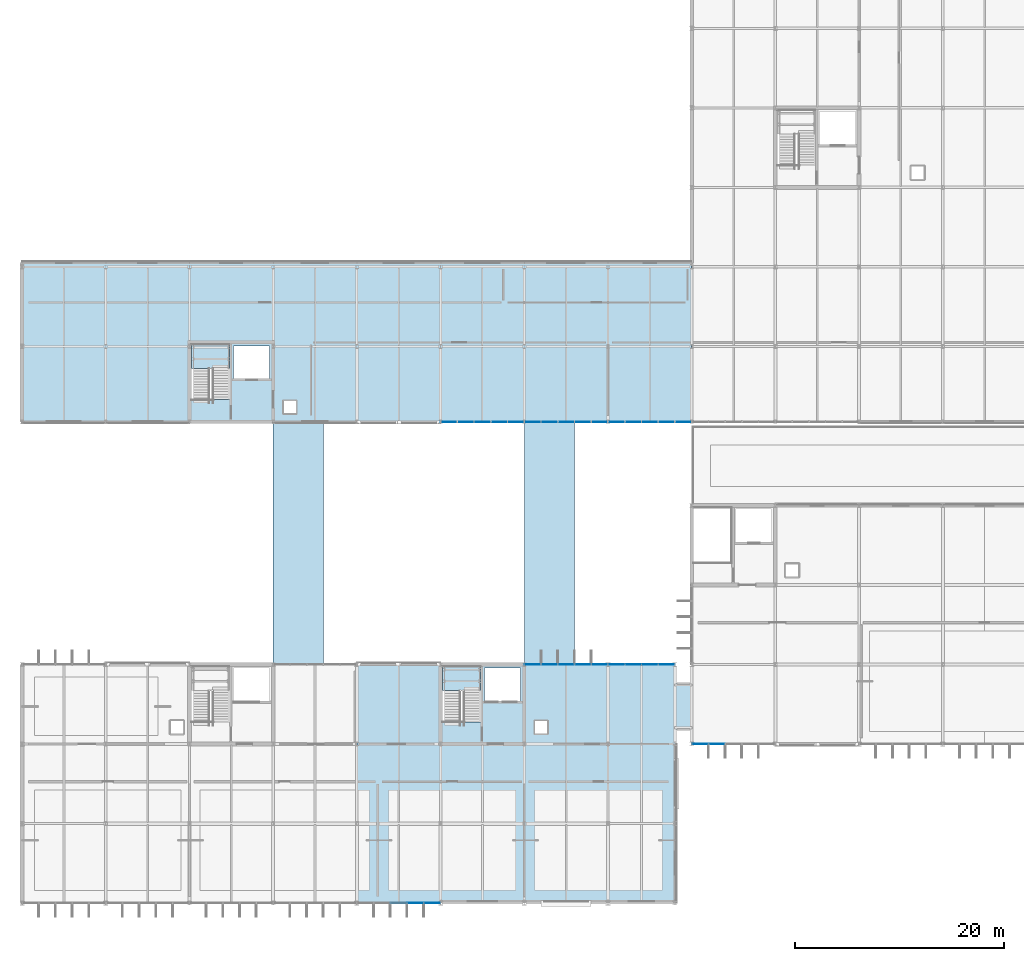
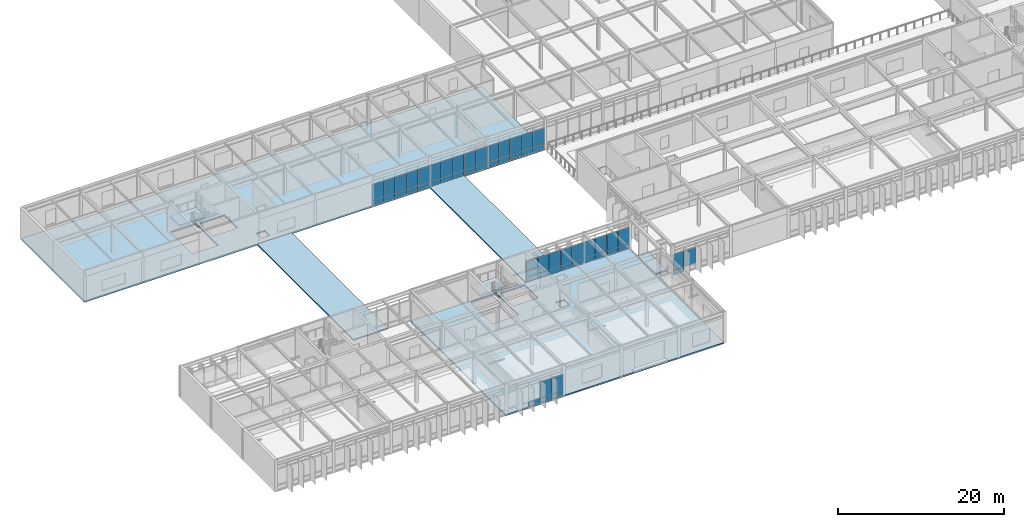
# One storey, part 72 of 100: 56 plates, 7 slabs, 9 elements without a shape of their own.
"""IFC4 building model written with IfcOpenShell, lengths in metres."""

from ifc_helpers import new_model, si_unit, direction, frame, origin, origin_2d, place, context, subcontext, project, spatial, polyline, rectangle, outline, extrude, material, layer, layer_set, type_object, element, aggregate, save


model = new_model("IFC4")

# Units and contexts
model_context = context("Model", 3, precision=1e-05, world=origin(), true_north=direction((0.0, 1.0)))
body_context = subcontext(model_context, "Body", "Model", "MODEL_VIEW")
ifc_project = project(units=[si_unit("LENGTHUNIT", "METRE"), si_unit("AREAUNIT", "SQUARE_METRE"), si_unit("VOLUMEUNIT", "CUBIC_METRE"), si_unit("PLANEANGLEUNIT", "RADIAN"), si_unit("MASSUNIT", "GRAM", prefix="KILO")], contexts=[model_context])

# Site, building, storey
site_placement = place(None, origin())
site = spatial("IfcSite", under=ifc_project, at=site_placement, CompositionType="ELEMENT")
building_placement = place(site_placement, origin())
building = spatial("IfcBuilding", under=site, at=building_placement, Name="Zulena Civic Courthouse", CompositionType="ELEMENT")
storey_placement = place(building_placement, frame((0.0, 0.0, 20.39990234375)))
storey = spatial("IfcBuildingStorey", under=building, at=storey_placement, Name="L04", CompositionType="ELEMENT", Elevation=20.39990234375)

# Slabs
ifc_material_1 = material(Name="Concrete C35/45", Category="concrete")
ifc_layer_1 = layer(ifc_material_1, 0.169921875)
ifc_layer_set_1 = layer_set([ifc_layer_1], Name="Concrete C35/45")
slab_type_1 = type_object("IfcSlabType", Name="BridgeRoofSlab_170", PredefinedType="ROOF", material=ifc_layer_set_1)
slab_1_placement = place(storey_placement, frame((0.0, 0.0, -0.169921875)))
element("IfcSlab", 1, at=slab_1_placement, inside=storey, type_object=slab_type_1, Name="slab:bridgeroof:BR-52J", PredefinedType="ROOF", context=body_context, shape_type="SweptSolid", body=[
    extrude(outline(polyline([(28.0, 22.800048828125), (32.800048828125, 22.800048828125), (32.800048828125, 46.0), (28.0, 46.0), (28.0, 22.800048828125)])), origin(), (0.0, 0.0, 1.0), 0.169921875),
])
slab_2_placement = place(storey_placement, frame((0.0, 0.0, -0.169921875)))
element("IfcSlab", 2, at=slab_2_placement, inside=storey, type_object=slab_type_1, Name="slab:bridgeroof:BR-52C", PredefinedType="ROOF", context=body_context, shape_type="SweptSolid", body=[
    extrude(outline(polyline([(52.0, 22.800048828125), (56.800048828125, 22.800048828125), (56.800048828125, 46.0), (52.0, 46.0), (52.0, 22.800048828125)])), origin(), (0.0, 0.0, 1.0), 0.169921875),
])
ifc_layer_2 = layer(ifc_material_1, 0.195068359375)
ifc_layer_set_2 = layer_set([ifc_layer_2], Name="Concrete C35/45")
slab_type_2 = type_object("IfcSlabType", Name="BridgeSlab_195", PredefinedType="FLOOR", material=ifc_layer_set_2)
slab_3_placement = place(storey_placement, frame((0.0, 0.0, -0.19482421875)))
element("IfcSlab", 3, at=slab_3_placement, inside=storey, type_object=slab_type_2, Name="slab:bridge:BR-24:L04", PredefinedType="FLOOR", context=body_context, shape_type="SweptSolid", body=[
    extrude(outline(polyline([(66.39990234375, 16.60009765625), (68.0, 16.60009765625), (68.0, 21.0), (66.39990234375, 21.0), (66.39990234375, 16.60009765625)])), origin(), (0.0, 0.0, 1.0), 0.19482421875),
])

# Curtain wall, plates
ifc_material_2 = material(Name="Double-silver low-E laminated solar-control glass", Category="glass")
curtain_wall_type_1 = type_object("IfcCurtainWallType", Name="CW_7976x3690", PredefinedType="USERDEFINED", material=ifc_material_2)
curtain_wall_1_placement = place(storey_placement, origin())
curtain_wall_1 = element("IfcCurtainWall", 4, at=curtain_wall_1_placement, inside=storey, type_object=curtain_wall_type_1, Name="cw:V2:L04:1:6", ObjectType="UNITISED CURTAIN WALL", PredefinedType="USERDEFINED")
ifc_material_3 = material(Name="Ceramic-fritted insulated spandrel glass", Category="glass")
ifc_layer_3 = layer(ifc_material_3, 0.0458984375)
ifc_layer_set_3 = layer_set([ifc_layer_3], Name="Ceramic-fritted insulated spandrel glass")
plate_type_1 = type_object("IfcPlateType", Name="CWPanel_Spandrel_46", PredefinedType="CURTAIN_PANEL", material=ifc_layer_set_3)
plate_1_placement = place(storey_placement, frame((52.8095703125, 22.800048828125, 0.070068359375), z_axis=(0.0, 0.0, 1.0), x_axis=(1.0, 0.0, 0.0)))
plate_1 = element("IfcPlate", 5, at=plate_1_placement, type_object=plate_type_1, Name="cw:V2:L04:1:6:panS:0", PredefinedType="CURTAIN_PANEL", context=body_context, shape_type="SweptSolid", body=[
    extrude(rectangle(XDim=1.544921875, YDim=0.0458984375, at=origin_2d()), origin(), (0.0, 0.0, 1.0), 0.669921875),
])
plate_2_placement = place(storey_placement, frame((54.40478515625, 22.800048828125, 0.070068359375), z_axis=(0.0, 0.0, 1.0), x_axis=(1.0, 0.0, 0.0)))
plate_2 = element("IfcPlate", 6, at=plate_2_placement, type_object=plate_type_1, Name="cw:V2:L04:1:6:panS:1", PredefinedType="CURTAIN_PANEL", context=body_context, shape_type="SweptSolid", body=[
    extrude(rectangle(XDim=1.544921875, YDim=0.0458984375, at=origin_2d()), origin(), (0.0, 0.0, 1.0), 0.669921875),
])
plate_3_placement = place(storey_placement, frame((56.0, 22.800048828125, 0.070068359375), z_axis=(0.0, 0.0, 1.0), x_axis=(1.0, 0.0, 0.0)))
plate_3 = element("IfcPlate", 7, at=plate_3_placement, type_object=plate_type_1, Name="cw:V2:L04:1:6:panS:2", PredefinedType="CURTAIN_PANEL", context=body_context, shape_type="SweptSolid", body=[
    extrude(rectangle(XDim=1.544921875, YDim=0.0458984375, at=origin_2d()), origin(), (0.0, 0.0, 1.0), 0.669921875),
])
plate_4_placement = place(storey_placement, frame((57.59521484375, 22.800048828125, 0.070068359375), z_axis=(0.0, 0.0, 1.0), x_axis=(1.0, 0.0, 0.0)))
plate_4 = element("IfcPlate", 8, at=plate_4_placement, type_object=plate_type_1, Name="cw:V2:L04:1:6:panS:3", PredefinedType="CURTAIN_PANEL", context=body_context, shape_type="SweptSolid", body=[
    extrude(rectangle(XDim=1.544921875, YDim=0.0458984375, at=origin_2d()), origin(), (0.0, 0.0, 1.0), 0.669921875),
])
plate_5_placement = place(storey_placement, frame((59.1904296875, 22.800048828125, 0.070068359375), z_axis=(0.0, 0.0, 1.0), x_axis=(1.0, 0.0, 0.0)))
plate_5 = element("IfcPlate", 9, at=plate_5_placement, type_object=plate_type_1, Name="cw:V2:L04:1:6:panS:4", PredefinedType="CURTAIN_PANEL", context=body_context, shape_type="SweptSolid", body=[
    extrude(rectangle(XDim=1.544921875, YDim=0.0458984375, at=origin_2d()), origin(), (0.0, 0.0, 1.0), 0.669921875),
])

curtain_wall_type_2 = type_object("IfcCurtainWallType", Name="CW_6376x3690", PredefinedType="USERDEFINED", material=ifc_material_2)
curtain_wall_2_placement = place(storey_placement, origin())
curtain_wall_2 = element("IfcCurtainWall", 10, at=curtain_wall_2_placement, inside=storey, type_object=curtain_wall_type_2, Name="cw:V2:L04:1:7", ObjectType="UNITISED CURTAIN WALL", PredefinedType="USERDEFINED")
plate_6_placement = place(storey_placement, frame((60.80908203125, 22.800048828125, 0.070068359375), z_axis=(0.0, 0.0, 1.0), x_axis=(1.0, 0.0, 0.0)))
plate_6 = element("IfcPlate", 11, at=plate_6_placement, type_object=plate_type_1, Name="cw:V2:L04:1:7:panS:0", PredefinedType="CURTAIN_PANEL", context=body_context, shape_type="SweptSolid", body=[
    extrude(rectangle(XDim=1.5439453125, YDim=0.0458984375, at=origin_2d()), origin(), (0.0, 0.0, 1.0), 0.669921875),
])
plate_7_placement = place(storey_placement, frame((62.403076171875, 22.800048828125, 0.070068359375), z_axis=(0.0, 0.0, 1.0), x_axis=(1.0, 0.0, 0.0)))
plate_7 = element("IfcPlate", 12, at=plate_7_placement, type_object=plate_type_1, Name="cw:V2:L04:1:7:panS:1", PredefinedType="CURTAIN_PANEL", context=body_context, shape_type="SweptSolid", body=[
    extrude(rectangle(XDim=1.5439453125, YDim=0.0458984375, at=origin_2d()), origin(), (0.0, 0.0, 1.0), 0.669921875),
])
plate_8_placement = place(storey_placement, frame((63.9970703125, 22.800048828125, 0.070068359375), z_axis=(0.0, 0.0, 1.0), x_axis=(1.0, 0.0, 0.0)))
plate_8 = element("IfcPlate", 13, at=plate_8_placement, type_object=plate_type_1, Name="cw:V2:L04:1:7:panS:2", PredefinedType="CURTAIN_PANEL", context=body_context, shape_type="SweptSolid", body=[
    extrude(rectangle(XDim=1.5439453125, YDim=0.0458984375, at=origin_2d()), origin(), (0.0, 0.0, 1.0), 0.669921875),
])
plate_9_placement = place(storey_placement, frame((65.591064453125, 22.800048828125, 0.070068359375), z_axis=(0.0, 0.0, 1.0), x_axis=(1.0, 0.0, 0.0)))
plate_9 = element("IfcPlate", 14, at=plate_9_placement, type_object=plate_type_1, Name="cw:V2:L04:1:7:panS:3", PredefinedType="CURTAIN_PANEL", context=body_context, shape_type="SweptSolid", body=[
    extrude(rectangle(XDim=1.5439453125, YDim=0.0458984375, at=origin_2d()), origin(), (0.0, 0.0, 1.0), 0.669921875),
])

curtain_wall_3_placement = place(storey_placement, origin())
curtain_wall_3 = element("IfcCurtainWall", 15, at=curtain_wall_3_placement, inside=storey, type_object=curtain_wall_type_1, Name="cw:V2:L04:3:3", ObjectType="UNITISED CURTAIN WALL", PredefinedType="USERDEFINED")
plate_10_placement = place(storey_placement, frame((43.1904296875, 0.0, 0.070068359375), z_axis=(0.0, 0.0, 1.0), x_axis=(-1.0, 0.0, 0.0)))
plate_10 = element("IfcPlate", 16, at=plate_10_placement, type_object=plate_type_1, Name="cw:V2:L04:3:3:panS:0", PredefinedType="CURTAIN_PANEL", context=body_context, shape_type="SweptSolid", body=[
    extrude(rectangle(XDim=1.544921875, YDim=0.0458984375, at=origin_2d()), origin(), (0.0, 0.0, 1.0), 0.669921875),
])
plate_11_placement = place(storey_placement, frame((41.59521484375, 0.0, 0.070068359375), z_axis=(0.0, 0.0, 1.0), x_axis=(-1.0, 0.0, 0.0)))
plate_11 = element("IfcPlate", 17, at=plate_11_placement, type_object=plate_type_1, Name="cw:V2:L04:3:3:panS:1", PredefinedType="CURTAIN_PANEL", context=body_context, shape_type="SweptSolid", body=[
    extrude(rectangle(XDim=1.544921875, YDim=0.0458984375, at=origin_2d()), origin(), (0.0, 0.0, 1.0), 0.669921875),
])
plate_12_placement = place(storey_placement, frame((40.0, 0.0, 0.070068359375), z_axis=(0.0, 0.0, 1.0), x_axis=(-1.0, 0.0, 0.0)))
plate_12 = element("IfcPlate", 18, at=plate_12_placement, type_object=plate_type_1, Name="cw:V2:L04:3:3:panS:2", PredefinedType="CURTAIN_PANEL", context=body_context, shape_type="SweptSolid", body=[
    extrude(rectangle(XDim=1.544921875, YDim=0.0458984375, at=origin_2d()), origin(), (0.0, 0.0, 1.0), 0.669921875),
])

# Curtain wall, plate
curtain_wall_4_placement = place(storey_placement, origin())
curtain_wall_4 = element("IfcCurtainWall", 19, at=curtain_wall_4_placement, inside=storey, type_object=curtain_wall_type_1, Name="cw:V4:L04:3:6", ObjectType="UNITISED CURTAIN WALL", PredefinedType="USERDEFINED")
plate_13_placement = place(storey_placement, frame((68.8095703125, 15.199951171875, 0.070068359375), z_axis=(0.0, 0.0, 1.0), x_axis=(-1.0, 0.0, 0.0)))
plate_13 = element("IfcPlate", 20, at=plate_13_placement, type_object=plate_type_1, Name="cw:V4:L04:3:6:panS:4", PredefinedType="CURTAIN_PANEL", context=body_context, shape_type="SweptSolid", body=[
    extrude(rectangle(XDim=1.544921875, YDim=0.0458984375, at=origin_2d()), origin(), (0.0, 0.0, 1.0), 0.669921875),
])

# Curtain wall, plates
curtain_wall_5_placement = place(storey_placement, origin())
curtain_wall_5 = element("IfcCurtainWall", 21, at=curtain_wall_5_placement, inside=storey, type_object=curtain_wall_type_1, Name="cw:V5:L04:5:5", ObjectType="UNITISED CURTAIN WALL", PredefinedType="USERDEFINED")
plate_14_placement = place(storey_placement, frame((67.1904296875, 46.0, 0.070068359375), z_axis=(0.0, 0.0, 1.0), x_axis=(-1.0, 0.0, 0.0)))
plate_14 = element("IfcPlate", 22, at=plate_14_placement, type_object=plate_type_1, Name="cw:V5:L04:5:5:panS:0", PredefinedType="CURTAIN_PANEL", context=body_context, shape_type="SweptSolid", body=[
    extrude(rectangle(XDim=1.544921875, YDim=0.0458984375, at=origin_2d()), origin(), (0.0, 0.0, 1.0), 0.669921875),
])
plate_15_placement = place(storey_placement, frame((65.59521484375, 46.0, 0.070068359375), z_axis=(0.0, 0.0, 1.0), x_axis=(-1.0, 0.0, 0.0)))
plate_15 = element("IfcPlate", 23, at=plate_15_placement, type_object=plate_type_1, Name="cw:V5:L04:5:5:panS:1", PredefinedType="CURTAIN_PANEL", context=body_context, shape_type="SweptSolid", body=[
    extrude(rectangle(XDim=1.544921875, YDim=0.0458984375, at=origin_2d()), origin(), (0.0, 0.0, 1.0), 0.669921875),
])
plate_16_placement = place(storey_placement, frame((64.0, 46.0, 0.070068359375), z_axis=(0.0, 0.0, 1.0), x_axis=(-1.0, 0.0, 0.0)))
plate_16 = element("IfcPlate", 24, at=plate_16_placement, type_object=plate_type_1, Name="cw:V5:L04:5:5:panS:2", PredefinedType="CURTAIN_PANEL", context=body_context, shape_type="SweptSolid", body=[
    extrude(rectangle(XDim=1.544921875, YDim=0.0458984375, at=origin_2d()), origin(), (0.0, 0.0, 1.0), 0.669921875),
])
plate_17_placement = place(storey_placement, frame((62.40478515625, 46.0, 0.070068359375), z_axis=(0.0, 0.0, 1.0), x_axis=(-1.0, 0.0, 0.0)))
plate_17 = element("IfcPlate", 25, at=plate_17_placement, type_object=plate_type_1, Name="cw:V5:L04:5:5:panS:3", PredefinedType="CURTAIN_PANEL", context=body_context, shape_type="SweptSolid", body=[
    extrude(rectangle(XDim=1.544921875, YDim=0.0458984375, at=origin_2d()), origin(), (0.0, 0.0, 1.0), 0.669921875),
])
plate_18_placement = place(storey_placement, frame((60.8095703125, 46.0, 0.070068359375), z_axis=(0.0, 0.0, 1.0), x_axis=(-1.0, 0.0, 0.0)))
plate_18 = element("IfcPlate", 26, at=plate_18_placement, type_object=plate_type_1, Name="cw:V5:L04:5:5:panS:4", PredefinedType="CURTAIN_PANEL", context=body_context, shape_type="SweptSolid", body=[
    extrude(rectangle(XDim=1.544921875, YDim=0.0458984375, at=origin_2d()), origin(), (0.0, 0.0, 1.0), 0.669921875),
])

curtain_wall_6_placement = place(storey_placement, origin())
curtain_wall_6 = element("IfcCurtainWall", 27, at=curtain_wall_6_placement, inside=storey, type_object=curtain_wall_type_1, Name="cw:V5:L04:5:6", ObjectType="UNITISED CURTAIN WALL", PredefinedType="USERDEFINED")
plate_19_placement = place(storey_placement, frame((59.1904296875, 46.0, 0.070068359375), z_axis=(0.0, 0.0, 1.0), x_axis=(-1.0, 0.0, 0.0)))
plate_19 = element("IfcPlate", 28, at=plate_19_placement, type_object=plate_type_1, Name="cw:V5:L04:5:6:panS:0", PredefinedType="CURTAIN_PANEL", context=body_context, shape_type="SweptSolid", body=[
    extrude(rectangle(XDim=1.544921875, YDim=0.0458984375, at=origin_2d()), origin(), (0.0, 0.0, 1.0), 0.669921875),
])
plate_20_placement = place(storey_placement, frame((57.59521484375, 46.0, 0.070068359375), z_axis=(0.0, 0.0, 1.0), x_axis=(-1.0, 0.0, 0.0)))
plate_20 = element("IfcPlate", 29, at=plate_20_placement, type_object=plate_type_1, Name="cw:V5:L04:5:6:panS:1", PredefinedType="CURTAIN_PANEL", context=body_context, shape_type="SweptSolid", body=[
    extrude(rectangle(XDim=1.544921875, YDim=0.0458984375, at=origin_2d()), origin(), (0.0, 0.0, 1.0), 0.669921875),
])
plate_21_placement = place(storey_placement, frame((56.0, 46.0, 0.070068359375), z_axis=(0.0, 0.0, 1.0), x_axis=(-1.0, 0.0, 0.0)))
plate_21 = element("IfcPlate", 30, at=plate_21_placement, type_object=plate_type_1, Name="cw:V5:L04:5:6:panS:2", PredefinedType="CURTAIN_PANEL", context=body_context, shape_type="SweptSolid", body=[
    extrude(rectangle(XDim=1.544921875, YDim=0.0458984375, at=origin_2d()), origin(), (0.0, 0.0, 1.0), 0.669921875),
])
plate_22_placement = place(storey_placement, frame((54.40478515625, 46.0, 0.070068359375), z_axis=(0.0, 0.0, 1.0), x_axis=(-1.0, 0.0, 0.0)))
plate_22 = element("IfcPlate", 31, at=plate_22_placement, type_object=plate_type_1, Name="cw:V5:L04:5:6:panS:3", PredefinedType="CURTAIN_PANEL", context=body_context, shape_type="SweptSolid", body=[
    extrude(rectangle(XDim=1.544921875, YDim=0.0458984375, at=origin_2d()), origin(), (0.0, 0.0, 1.0), 0.669921875),
])
plate_23_placement = place(storey_placement, frame((52.8095703125, 46.0, 0.070068359375), z_axis=(0.0, 0.0, 1.0), x_axis=(-1.0, 0.0, 0.0)))
plate_23 = element("IfcPlate", 32, at=plate_23_placement, type_object=plate_type_1, Name="cw:V5:L04:5:6:panS:4", PredefinedType="CURTAIN_PANEL", context=body_context, shape_type="SweptSolid", body=[
    extrude(rectangle(XDim=1.544921875, YDim=0.0458984375, at=origin_2d()), origin(), (0.0, 0.0, 1.0), 0.669921875),
])

curtain_wall_7_placement = place(storey_placement, origin())
curtain_wall_7 = element("IfcCurtainWall", 33, at=curtain_wall_7_placement, inside=storey, type_object=curtain_wall_type_1, Name="cw:V5:L04:5:7", ObjectType="UNITISED CURTAIN WALL", PredefinedType="USERDEFINED")
plate_24_placement = place(storey_placement, frame((51.1904296875, 46.0, 0.070068359375), z_axis=(0.0, 0.0, 1.0), x_axis=(-1.0, 0.0, 0.0)))
plate_24 = element("IfcPlate", 34, at=plate_24_placement, type_object=plate_type_1, Name="cw:V5:L04:5:7:panS:0", PredefinedType="CURTAIN_PANEL", context=body_context, shape_type="SweptSolid", body=[
    extrude(rectangle(XDim=1.544921875, YDim=0.0458984375, at=origin_2d()), origin(), (0.0, 0.0, 1.0), 0.669921875),
])
plate_25_placement = place(storey_placement, frame((49.59521484375, 46.0, 0.070068359375), z_axis=(0.0, 0.0, 1.0), x_axis=(-1.0, 0.0, 0.0)))
plate_25 = element("IfcPlate", 35, at=plate_25_placement, type_object=plate_type_1, Name="cw:V5:L04:5:7:panS:1", PredefinedType="CURTAIN_PANEL", context=body_context, shape_type="SweptSolid", body=[
    extrude(rectangle(XDim=1.544921875, YDim=0.0458984375, at=origin_2d()), origin(), (0.0, 0.0, 1.0), 0.669921875),
])
plate_26_placement = place(storey_placement, frame((48.0, 46.0, 0.070068359375), z_axis=(0.0, 0.0, 1.0), x_axis=(-1.0, 0.0, 0.0)))
plate_26 = element("IfcPlate", 36, at=plate_26_placement, type_object=plate_type_1, Name="cw:V5:L04:5:7:panS:2", PredefinedType="CURTAIN_PANEL", context=body_context, shape_type="SweptSolid", body=[
    extrude(rectangle(XDim=1.544921875, YDim=0.0458984375, at=origin_2d()), origin(), (0.0, 0.0, 1.0), 0.669921875),
])
plate_27_placement = place(storey_placement, frame((46.40478515625, 46.0, 0.070068359375), z_axis=(0.0, 0.0, 1.0), x_axis=(-1.0, 0.0, 0.0)))
plate_27 = element("IfcPlate", 37, at=plate_27_placement, type_object=plate_type_1, Name="cw:V5:L04:5:7:panS:3", PredefinedType="CURTAIN_PANEL", context=body_context, shape_type="SweptSolid", body=[
    extrude(rectangle(XDim=1.544921875, YDim=0.0458984375, at=origin_2d()), origin(), (0.0, 0.0, 1.0), 0.669921875),
])
plate_28_placement = place(storey_placement, frame((44.8095703125, 46.0, 0.070068359375), z_axis=(0.0, 0.0, 1.0), x_axis=(-1.0, 0.0, 0.0)))
plate_28 = element("IfcPlate", 38, at=plate_28_placement, type_object=plate_type_1, Name="cw:V5:L04:5:7:panS:4", PredefinedType="CURTAIN_PANEL", context=body_context, shape_type="SweptSolid", body=[
    extrude(rectangle(XDim=1.544921875, YDim=0.0458984375, at=origin_2d()), origin(), (0.0, 0.0, 1.0), 0.669921875),
])

# Plate
ifc_layer_4 = layer(ifc_material_2, 0.035888671875)
ifc_layer_set_4 = layer_set([ifc_layer_4], Name="Double-silver low-E laminated solar-control glass")
plate_type_2 = type_object("IfcPlateType", Name="CWPanel_Vision_36", PredefinedType="CURTAIN_PANEL", material=ifc_layer_set_4)
plate_29_placement = place(storey_placement, frame((52.8095703125, 22.800048828125, 0.760009765625), z_axis=(0.0, 0.0, 1.0), x_axis=(1.0, 0.0, 0.0)))
plate_29 = element("IfcPlate", 39, at=plate_29_placement, type_object=plate_type_2, Name="cw:V2:L04:1:6:panV:0", PredefinedType="CURTAIN_PANEL", context=body_context, shape_type="SweptSolid", body=[
    extrude(rectangle(XDim=1.544921875, YDim=0.035888671875, at=origin_2d()), origin(), (0.0, 0.0, 1.0), 2.3701171875),
])

plate_30_placement = place(storey_placement, frame((54.40478515625, 22.800048828125, 0.760009765625), z_axis=(0.0, 0.0, 1.0), x_axis=(1.0, 0.0, 0.0)))
plate_30 = element("IfcPlate", 40, at=plate_30_placement, type_object=plate_type_2, Name="cw:V2:L04:1:6:panV:1", PredefinedType="CURTAIN_PANEL", context=body_context, shape_type="SweptSolid", body=[
    extrude(rectangle(XDim=1.544921875, YDim=0.035888671875, at=origin_2d()), origin(), (0.0, 0.0, 1.0), 2.3701171875),
])

plate_31_placement = place(storey_placement, frame((56.0, 22.800048828125, 0.760009765625), z_axis=(0.0, 0.0, 1.0), x_axis=(1.0, 0.0, 0.0)))
plate_31 = element("IfcPlate", 41, at=plate_31_placement, type_object=plate_type_2, Name="cw:V2:L04:1:6:panV:2", PredefinedType="CURTAIN_PANEL", context=body_context, shape_type="SweptSolid", body=[
    extrude(rectangle(XDim=1.544921875, YDim=0.035888671875, at=origin_2d()), origin(), (0.0, 0.0, 1.0), 2.3701171875),
])

plate_32_placement = place(storey_placement, frame((57.59521484375, 22.800048828125, 0.760009765625), z_axis=(0.0, 0.0, 1.0), x_axis=(1.0, 0.0, 0.0)))
plate_32 = element("IfcPlate", 42, at=plate_32_placement, type_object=plate_type_2, Name="cw:V2:L04:1:6:panV:3", PredefinedType="CURTAIN_PANEL", context=body_context, shape_type="SweptSolid", body=[
    extrude(rectangle(XDim=1.544921875, YDim=0.035888671875, at=origin_2d()), origin(), (0.0, 0.0, 1.0), 2.3701171875),
])

plate_33_placement = place(storey_placement, frame((59.1904296875, 22.800048828125, 0.760009765625), z_axis=(0.0, 0.0, 1.0), x_axis=(1.0, 0.0, 0.0)))
plate_33 = element("IfcPlate", 43, at=plate_33_placement, type_object=plate_type_2, Name="cw:V2:L04:1:6:panV:4", PredefinedType="CURTAIN_PANEL", context=body_context, shape_type="SweptSolid", body=[
    extrude(rectangle(XDim=1.544921875, YDim=0.035888671875, at=origin_2d()), origin(), (0.0, 0.0, 1.0), 2.3701171875),
])

aggregate(curtain_wall_1, [plate_29, plate_1, plate_30, plate_2, plate_31, plate_3, plate_32, plate_4, plate_33, plate_5])

plate_34_placement = place(storey_placement, frame((60.80908203125, 22.800048828125, 0.760009765625), z_axis=(0.0, 0.0, 1.0), x_axis=(1.0, 0.0, 0.0)))
plate_34 = element("IfcPlate", 44, at=plate_34_placement, type_object=plate_type_2, Name="cw:V2:L04:1:7:panV:0", PredefinedType="CURTAIN_PANEL", context=body_context, shape_type="SweptSolid", body=[
    extrude(rectangle(XDim=1.5439453125, YDim=0.035888671875, at=origin_2d()), origin(), (0.0, 0.0, 1.0), 2.3701171875),
])

plate_35_placement = place(storey_placement, frame((62.403076171875, 22.800048828125, 0.760009765625), z_axis=(0.0, 0.0, 1.0), x_axis=(1.0, 0.0, 0.0)))
plate_35 = element("IfcPlate", 45, at=plate_35_placement, type_object=plate_type_2, Name="cw:V2:L04:1:7:panV:1", PredefinedType="CURTAIN_PANEL", context=body_context, shape_type="SweptSolid", body=[
    extrude(rectangle(XDim=1.5439453125, YDim=0.035888671875, at=origin_2d()), origin(), (0.0, 0.0, 1.0), 2.3701171875),
])

plate_36_placement = place(storey_placement, frame((63.9970703125, 22.800048828125, 0.760009765625), z_axis=(0.0, 0.0, 1.0), x_axis=(1.0, 0.0, 0.0)))
plate_36 = element("IfcPlate", 46, at=plate_36_placement, type_object=plate_type_2, Name="cw:V2:L04:1:7:panV:2", PredefinedType="CURTAIN_PANEL", context=body_context, shape_type="SweptSolid", body=[
    extrude(rectangle(XDim=1.5439453125, YDim=0.035888671875, at=origin_2d()), origin(), (0.0, 0.0, 1.0), 2.3701171875),
])

plate_37_placement = place(storey_placement, frame((65.591064453125, 22.800048828125, 0.760009765625), z_axis=(0.0, 0.0, 1.0), x_axis=(1.0, 0.0, 0.0)))
plate_37 = element("IfcPlate", 47, at=plate_37_placement, type_object=plate_type_2, Name="cw:V2:L04:1:7:panV:3", PredefinedType="CURTAIN_PANEL", context=body_context, shape_type="SweptSolid", body=[
    extrude(rectangle(XDim=1.5439453125, YDim=0.035888671875, at=origin_2d()), origin(), (0.0, 0.0, 1.0), 2.3701171875),
])

aggregate(curtain_wall_2, [plate_34, plate_6, plate_35, plate_7, plate_36, plate_8, plate_37, plate_9])

plate_38_placement = place(storey_placement, frame((43.1904296875, 0.0, 0.760009765625), z_axis=(0.0, 0.0, 1.0), x_axis=(-1.0, 0.0, 0.0)))
plate_38 = element("IfcPlate", 48, at=plate_38_placement, type_object=plate_type_2, Name="cw:V2:L04:3:3:panV:0", PredefinedType="CURTAIN_PANEL", context=body_context, shape_type="SweptSolid", body=[
    extrude(rectangle(XDim=1.544921875, YDim=0.035888671875, at=origin_2d()), origin(), (0.0, 0.0, 1.0), 2.3701171875),
])

plate_39_placement = place(storey_placement, frame((41.59521484375, 0.0, 0.760009765625), z_axis=(0.0, 0.0, 1.0), x_axis=(-1.0, 0.0, 0.0)))
plate_39 = element("IfcPlate", 49, at=plate_39_placement, type_object=plate_type_2, Name="cw:V2:L04:3:3:panV:1", PredefinedType="CURTAIN_PANEL", context=body_context, shape_type="SweptSolid", body=[
    extrude(rectangle(XDim=1.544921875, YDim=0.035888671875, at=origin_2d()), origin(), (0.0, 0.0, 1.0), 2.3701171875),
])

aggregate(curtain_wall_3, [plate_38, plate_10, plate_39, plate_11, plate_12])

plate_40_placement = place(storey_placement, frame((70.40478515625, 15.199951171875, 0.760009765625), z_axis=(0.0, 0.0, 1.0), x_axis=(-1.0, 0.0, 0.0)))
plate_40 = element("IfcPlate", 50, at=plate_40_placement, type_object=plate_type_2, Name="cw:V4:L04:3:6:panV:3", PredefinedType="CURTAIN_PANEL", context=body_context, shape_type="SweptSolid", body=[
    extrude(rectangle(XDim=1.544921875, YDim=0.035888671875, at=origin_2d()), origin(), (0.0, 0.0, 1.0), 2.3701171875),
])

plate_41_placement = place(storey_placement, frame((68.8095703125, 15.199951171875, 0.760009765625), z_axis=(0.0, 0.0, 1.0), x_axis=(-1.0, 0.0, 0.0)))
plate_41 = element("IfcPlate", 51, at=plate_41_placement, type_object=plate_type_2, Name="cw:V4:L04:3:6:panV:4", PredefinedType="CURTAIN_PANEL", context=body_context, shape_type="SweptSolid", body=[
    extrude(rectangle(XDim=1.544921875, YDim=0.035888671875, at=origin_2d()), origin(), (0.0, 0.0, 1.0), 2.3701171875),
])

aggregate(curtain_wall_4, [plate_40, plate_41, plate_13])

plate_42_placement = place(storey_placement, frame((67.1904296875, 46.0, 0.760009765625), z_axis=(0.0, 0.0, 1.0), x_axis=(-1.0, 0.0, 0.0)))
plate_42 = element("IfcPlate", 52, at=plate_42_placement, type_object=plate_type_2, Name="cw:V5:L04:5:5:panV:0", PredefinedType="CURTAIN_PANEL", context=body_context, shape_type="SweptSolid", body=[
    extrude(rectangle(XDim=1.544921875, YDim=0.035888671875, at=origin_2d()), origin(), (0.0, 0.0, 1.0), 2.3701171875),
])

plate_43_placement = place(storey_placement, frame((65.59521484375, 46.0, 0.760009765625), z_axis=(0.0, 0.0, 1.0), x_axis=(-1.0, 0.0, 0.0)))
plate_43 = element("IfcPlate", 53, at=plate_43_placement, type_object=plate_type_2, Name="cw:V5:L04:5:5:panV:1", PredefinedType="CURTAIN_PANEL", context=body_context, shape_type="SweptSolid", body=[
    extrude(rectangle(XDim=1.544921875, YDim=0.035888671875, at=origin_2d()), origin(), (0.0, 0.0, 1.0), 2.3701171875),
])

plate_44_placement = place(storey_placement, frame((64.0, 46.0, 0.760009765625), z_axis=(0.0, 0.0, 1.0), x_axis=(-1.0, 0.0, 0.0)))
plate_44 = element("IfcPlate", 54, at=plate_44_placement, type_object=plate_type_2, Name="cw:V5:L04:5:5:panV:2", PredefinedType="CURTAIN_PANEL", context=body_context, shape_type="SweptSolid", body=[
    extrude(rectangle(XDim=1.544921875, YDim=0.035888671875, at=origin_2d()), origin(), (0.0, 0.0, 1.0), 2.3701171875),
])

plate_45_placement = place(storey_placement, frame((62.40478515625, 46.0, 0.760009765625), z_axis=(0.0, 0.0, 1.0), x_axis=(-1.0, 0.0, 0.0)))
plate_45 = element("IfcPlate", 55, at=plate_45_placement, type_object=plate_type_2, Name="cw:V5:L04:5:5:panV:3", PredefinedType="CURTAIN_PANEL", context=body_context, shape_type="SweptSolid", body=[
    extrude(rectangle(XDim=1.544921875, YDim=0.035888671875, at=origin_2d()), origin(), (0.0, 0.0, 1.0), 2.3701171875),
])

plate_46_placement = place(storey_placement, frame((60.8095703125, 46.0, 0.760009765625), z_axis=(0.0, 0.0, 1.0), x_axis=(-1.0, 0.0, 0.0)))
plate_46 = element("IfcPlate", 56, at=plate_46_placement, type_object=plate_type_2, Name="cw:V5:L04:5:5:panV:4", PredefinedType="CURTAIN_PANEL", context=body_context, shape_type="SweptSolid", body=[
    extrude(rectangle(XDim=1.544921875, YDim=0.035888671875, at=origin_2d()), origin(), (0.0, 0.0, 1.0), 2.3701171875),
])

aggregate(curtain_wall_5, [plate_42, plate_14, plate_43, plate_15, plate_44, plate_16, plate_45, plate_17, plate_46, plate_18])

plate_47_placement = place(storey_placement, frame((59.1904296875, 46.0, 0.760009765625), z_axis=(0.0, 0.0, 1.0), x_axis=(-1.0, 0.0, 0.0)))
plate_47 = element("IfcPlate", 57, at=plate_47_placement, type_object=plate_type_2, Name="cw:V5:L04:5:6:panV:0", PredefinedType="CURTAIN_PANEL", context=body_context, shape_type="SweptSolid", body=[
    extrude(rectangle(XDim=1.544921875, YDim=0.035888671875, at=origin_2d()), origin(), (0.0, 0.0, 1.0), 2.3701171875),
])

plate_48_placement = place(storey_placement, frame((57.59521484375, 46.0, 0.760009765625), z_axis=(0.0, 0.0, 1.0), x_axis=(-1.0, 0.0, 0.0)))
plate_48 = element("IfcPlate", 58, at=plate_48_placement, type_object=plate_type_2, Name="cw:V5:L04:5:6:panV:1", PredefinedType="CURTAIN_PANEL", context=body_context, shape_type="SweptSolid", body=[
    extrude(rectangle(XDim=1.544921875, YDim=0.035888671875, at=origin_2d()), origin(), (0.0, 0.0, 1.0), 2.3701171875),
])

plate_49_placement = place(storey_placement, frame((56.0, 46.0, 0.760009765625), z_axis=(0.0, 0.0, 1.0), x_axis=(-1.0, 0.0, 0.0)))
plate_49 = element("IfcPlate", 59, at=plate_49_placement, type_object=plate_type_2, Name="cw:V5:L04:5:6:panV:2", PredefinedType="CURTAIN_PANEL", context=body_context, shape_type="SweptSolid", body=[
    extrude(rectangle(XDim=1.544921875, YDim=0.035888671875, at=origin_2d()), origin(), (0.0, 0.0, 1.0), 2.3701171875),
])

plate_50_placement = place(storey_placement, frame((54.40478515625, 46.0, 0.760009765625), z_axis=(0.0, 0.0, 1.0), x_axis=(-1.0, 0.0, 0.0)))
plate_50 = element("IfcPlate", 60, at=plate_50_placement, type_object=plate_type_2, Name="cw:V5:L04:5:6:panV:3", PredefinedType="CURTAIN_PANEL", context=body_context, shape_type="SweptSolid", body=[
    extrude(rectangle(XDim=1.544921875, YDim=0.035888671875, at=origin_2d()), origin(), (0.0, 0.0, 1.0), 2.3701171875),
])

plate_51_placement = place(storey_placement, frame((52.8095703125, 46.0, 0.760009765625), z_axis=(0.0, 0.0, 1.0), x_axis=(-1.0, 0.0, 0.0)))
plate_51 = element("IfcPlate", 61, at=plate_51_placement, type_object=plate_type_2, Name="cw:V5:L04:5:6:panV:4", PredefinedType="CURTAIN_PANEL", context=body_context, shape_type="SweptSolid", body=[
    extrude(rectangle(XDim=1.544921875, YDim=0.035888671875, at=origin_2d()), origin(), (0.0, 0.0, 1.0), 2.3701171875),
])

aggregate(curtain_wall_6, [plate_47, plate_19, plate_48, plate_20, plate_49, plate_21, plate_50, plate_22, plate_51, plate_23])

plate_52_placement = place(storey_placement, frame((51.1904296875, 46.0, 0.760009765625), z_axis=(0.0, 0.0, 1.0), x_axis=(-1.0, 0.0, 0.0)))
plate_52 = element("IfcPlate", 62, at=plate_52_placement, type_object=plate_type_2, Name="cw:V5:L04:5:7:panV:0", PredefinedType="CURTAIN_PANEL", context=body_context, shape_type="SweptSolid", body=[
    extrude(rectangle(XDim=1.544921875, YDim=0.035888671875, at=origin_2d()), origin(), (0.0, 0.0, 1.0), 2.3701171875),
])

plate_53_placement = place(storey_placement, frame((49.59521484375, 46.0, 0.760009765625), z_axis=(0.0, 0.0, 1.0), x_axis=(-1.0, 0.0, 0.0)))
plate_53 = element("IfcPlate", 63, at=plate_53_placement, type_object=plate_type_2, Name="cw:V5:L04:5:7:panV:1", PredefinedType="CURTAIN_PANEL", context=body_context, shape_type="SweptSolid", body=[
    extrude(rectangle(XDim=1.544921875, YDim=0.035888671875, at=origin_2d()), origin(), (0.0, 0.0, 1.0), 2.3701171875),
])

plate_54_placement = place(storey_placement, frame((48.0, 46.0, 0.760009765625), z_axis=(0.0, 0.0, 1.0), x_axis=(-1.0, 0.0, 0.0)))
plate_54 = element("IfcPlate", 64, at=plate_54_placement, type_object=plate_type_2, Name="cw:V5:L04:5:7:panV:2", PredefinedType="CURTAIN_PANEL", context=body_context, shape_type="SweptSolid", body=[
    extrude(rectangle(XDim=1.544921875, YDim=0.035888671875, at=origin_2d()), origin(), (0.0, 0.0, 1.0), 2.3701171875),
])

plate_55_placement = place(storey_placement, frame((46.40478515625, 46.0, 0.760009765625), z_axis=(0.0, 0.0, 1.0), x_axis=(-1.0, 0.0, 0.0)))
plate_55 = element("IfcPlate", 65, at=plate_55_placement, type_object=plate_type_2, Name="cw:V5:L04:5:7:panV:3", PredefinedType="CURTAIN_PANEL", context=body_context, shape_type="SweptSolid", body=[
    extrude(rectangle(XDim=1.544921875, YDim=0.035888671875, at=origin_2d()), origin(), (0.0, 0.0, 1.0), 2.3701171875),
])

plate_56_placement = place(storey_placement, frame((44.8095703125, 46.0, 0.760009765625), z_axis=(0.0, 0.0, 1.0), x_axis=(-1.0, 0.0, 0.0)))
plate_56 = element("IfcPlate", 66, at=plate_56_placement, type_object=plate_type_2, Name="cw:V5:L04:5:7:panV:4", PredefinedType="CURTAIN_PANEL", context=body_context, shape_type="SweptSolid", body=[
    extrude(rectangle(XDim=1.544921875, YDim=0.035888671875, at=origin_2d()), origin(), (0.0, 0.0, 1.0), 2.3701171875),
])

aggregate(curtain_wall_7, [plate_52, plate_24, plate_53, plate_25, plate_54, plate_26, plate_55, plate_27, plate_56, plate_28])

# Slabs
ifc_layer_5 = layer(ifc_material_1, 0.2099609375)
ifc_layer_set_5 = layer_set([ifc_layer_5], Name="Concrete C35/45")
slab_type_3 = type_object("IfcSlabType", Name="FloorSlab_210", PredefinedType="FLOOR", material=ifc_layer_set_5)
slab_4_placement = place(storey_placement, frame((0.0, 0.0, -0.2099609375)))
element("IfcSlab", 67, at=slab_4_placement, inside=storey, type_object=slab_type_3, Name="slab:V2:L04_2", PredefinedType="FLOOR", context=body_context, shape_type="SweptSolid", body=[
    extrude(outline(polyline([(66.39990234375, 0.0), (36.0, 0.0), (36.0, 22.800048828125), (66.39990234375, 22.800048828125), (66.39990234375, 0.0)]), holes=[polyline([(47.81005859375, 17.320068359375), (47.81005859375, 22.610107421875), (44.18994140625, 22.610107421875), (44.18994140625, 17.320068359375), (47.81005859375, 17.320068359375)]), polyline([(48.199951171875, 19.300048828125), (51.64990234375, 19.300048828125), (51.64990234375, 22.449951171875), (48.199951171875, 22.449951171875), (48.199951171875, 19.300048828125)]), polyline([(54.199951171875, 17.39990234375), (53.0, 17.39990234375), (53.0, 16.199951171875), (54.199951171875, 16.199951171875), (54.199951171875, 17.39990234375)])]), origin(), (0.0, 0.0, 1.0), 0.2099609375),
])
slab_5_placement = place(storey_placement, frame((0.0, 0.0, -0.2099609375)))
element("IfcSlab", 68, at=slab_5_placement, inside=storey, type_object=slab_type_3, Name="slab:V5:L04_1", PredefinedType="FLOOR", context=body_context, shape_type="SweptSolid", body=[
    extrude(outline(polyline([(4.0, 61.199951171875), (68.0, 61.199951171875), (68.0, 46.0), (4.0, 46.0), (4.0, 61.199951171875)]), holes=[polyline([(20.18994140625, 53.409912109375), (20.18994140625, 48.1201171875), (23.81005859375, 48.1201171875), (23.81005859375, 53.409912109375), (20.18994140625, 53.409912109375)]), polyline([(27.64990234375, 53.25), (24.199951171875, 53.25), (24.199951171875, 50.10009765625), (27.64990234375, 50.10009765625), (27.64990234375, 53.25)]), polyline([(29.0, 48.0), (29.0, 46.800048828125), (30.199951171875, 46.800048828125), (30.199951171875, 48.0), (29.0, 48.0)])]), origin(), (0.0, 0.0, 1.0), 0.2099609375),
])

# Stair, slab
ifc_material_4 = material(Name="Precast concrete C40/50", Category="concrete")
stair_type = type_object("IfcStairType", Name="HalfTurnStair_4800", PredefinedType="HALF_TURN_STAIR", material=ifc_material_4)
stair_1_placement = place(storey_placement, origin())
stair_1 = element("IfcStair", 69, at=stair_1_placement, inside=storey, type_object=stair_type, Name="stair:K2B:L04", PredefinedType="HALF_TURN_STAIR")
ifc_layer_6 = layer(ifc_material_4, 0.280029296875)
ifc_layer_set_6 = layer_set([ifc_layer_6], Name="Precast concrete C40/50")
slab_type_4 = type_object("IfcSlabType", Name="StairLandingSlab_280", PredefinedType="LANDING", material=ifc_layer_set_6)
slab_6_placement = place(storey_placement, frame((0.0, 0.0, 2.1201171875)))
slab_6 = element("IfcSlab", 70, at=slab_6_placement, type_object=slab_type_4, Name="stair:K2B:L04:LND", PredefinedType="LANDING", context=body_context, shape_type="SweptSolid", body=[
    extrude(outline(polyline([(44.179931640625, 20.294677734375), (47.820068359375, 20.294677734375), (47.820068359375, 22.6201171875), (44.179931640625, 22.6201171875), (44.179931640625, 20.294677734375)])), origin(), (0.0, 0.0, 1.0), 0.280029296875),
])
aggregate(stair_1, [slab_6])

stair_2_placement = place(storey_placement, origin())
stair_2 = element("IfcStair", 71, at=stair_2_placement, inside=storey, type_object=stair_type, Name="stair:K5A:L04", PredefinedType="HALF_TURN_STAIR")
slab_7_placement = place(storey_placement, frame((0.0, 0.0, 2.1201171875)))
slab_7 = element("IfcSlab", 72, at=slab_7_placement, type_object=slab_type_4, Name="stair:K5A:L04:LND", PredefinedType="LANDING", context=body_context, shape_type="SweptSolid", body=[
    extrude(outline(polyline([(20.179931640625, 51.094482421875), (23.820068359375, 51.094482421875), (23.820068359375, 53.419921875), (20.179931640625, 53.419921875), (20.179931640625, 51.094482421875)])), origin(), (0.0, 0.0, 1.0), 0.280029296875),
])
aggregate(stair_2, [slab_7])

save(model, "model.ifc")
